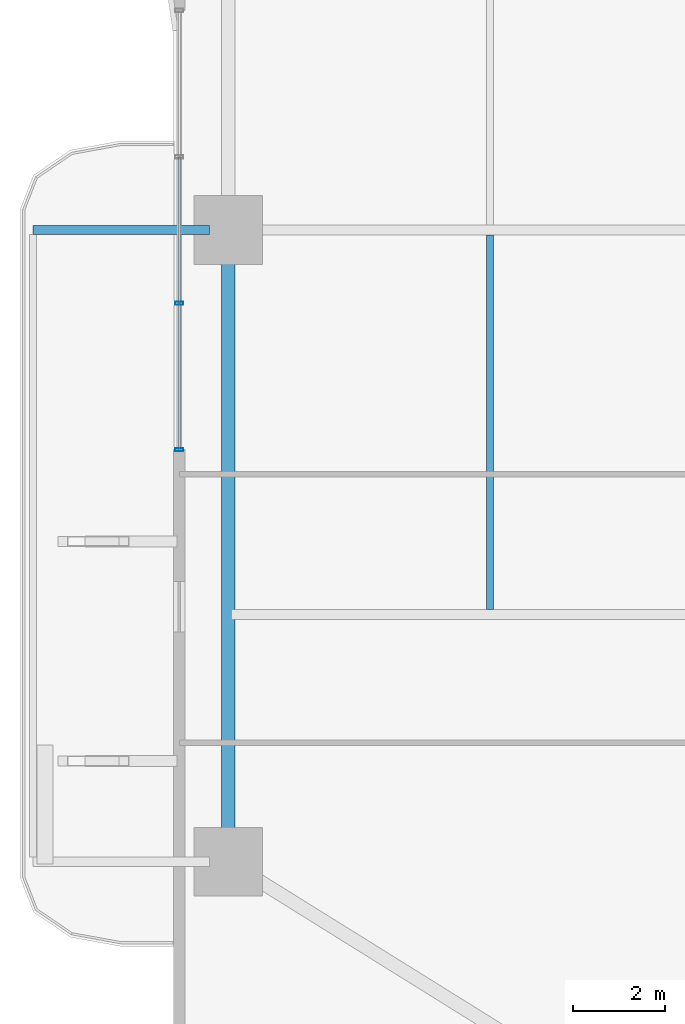
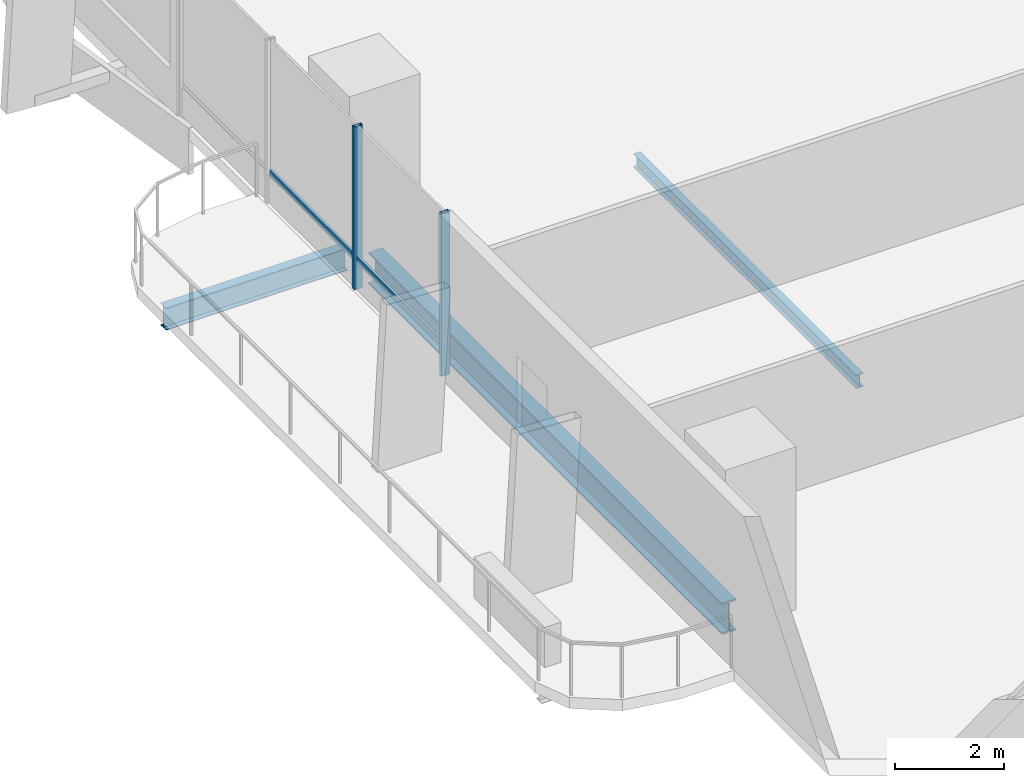
# One storey, part 4 of 24: 4 members, 3 beams, 1 element without a shape of its own.
"""IFC4 building model written with IfcOpenShell, lengths in metres."""

from ifc_helpers import new_model, si_unit, direction, frame, origin, origin_2d, place, context, subcontext, project, spatial, hollow_rectangle, i_section, extrude, material, layer, layer_set, material_profile, profile_set, type_object, element, aggregate, save


model = new_model("IFC4")

# Units and contexts
model_context = context("Model", 3, precision=1e-05, world=origin(), true_north=direction((0.0, 1.0)))
body_context = subcontext(model_context, "Body", "Model", "MODEL_VIEW")
ifc_project = project(units=[si_unit("LENGTHUNIT", "METRE"), si_unit("AREAUNIT", "SQUARE_METRE"), si_unit("VOLUMEUNIT", "CUBIC_METRE"), si_unit("PLANEANGLEUNIT", "RADIAN"), si_unit("MASSUNIT", "GRAM", prefix="KILO")], contexts=[model_context])

# Site, building, storey
site_placement = place(None, origin())
site = spatial("IfcSite", under=ifc_project, at=site_placement, CompositionType="ELEMENT")
building_placement = place(site_placement, origin())
building = spatial("IfcBuilding", under=site, at=building_placement, Name="Belovzor Exchange Tower", CompositionType="ELEMENT")
storey_placement = place(building_placement, frame((0.0, 0.0, 61.199951171875)))
storey = spatial("IfcBuildingStorey", under=building, at=storey_placement, Name="L14", CompositionType="ELEMENT", Elevation=61.199951171875)

# Beams
ifc_material_1 = material(Name="Steel S355", Category="steel")
ifc_material_profile_1 = material_profile(ifc_material_1, i_section(OverallWidth=0.199951171875, OverallDepth=0.5, WebThickness=0.01025390625, FlangeThickness=0.01611328125, at=origin_2d()))
ifc_profile_set_1 = profile_set([ifc_material_profile_1], Name="Steel S355")
beam_type_1 = type_object("IfcBeamType", Name="Planted Balcony Cantilever Beam IPE 500", PredefinedType="BEAM", material=ifc_profile_set_1)
beam_1_placement = place(storey_placement, frame((1.68798828125, 28.800048828125, -0.5), z_axis=(-1.0, 0.0, 0.0), x_axis=(0.0, -1.0, 0.0)))
element("IfcBeam", 1, at=beam_1_placement, inside=storey, type_object=beam_type_1, Name="BC-500 Planted Balcony Cantilever Beam IPE 500", PredefinedType="BEAM", context=body_context, shape_type="SweptSolid", body=[
    extrude(i_section(OverallWidth=0.199951171875, OverallDepth=0.5, WebThickness=0.01025390625, FlangeThickness=0.01611328125, at=origin_2d()), origin(), (0.0, 0.0, 1.0), 3.85009765625),
])
ifc_material_2 = material(Name="Steel S355", Category="steel")
ifc_material_profile_2 = material_profile(ifc_material_2, i_section(OverallWidth=0.14990234375, OverallDepth=0.300048828125, WebThickness=0.007080078125, FlangeThickness=0.0107421875, at=origin_2d()))
ifc_profile_set_2 = profile_set([ifc_material_profile_2], Name="Steel S355")
beam_type_2 = type_object("IfcBeamType", Name="Secondary Trim Floor Joist IPE 300", PredefinedType="BEAM", material=ifc_profile_set_2)
beam_2_placement = place(storey_placement, frame((7.81494140625, 20.5048828125, -0.39990234375), z_axis=(0.0, 1.0, 0.0), x_axis=(-1.0, 0.0, 0.0)))
element("IfcBeam", 2, at=beam_2_placement, inside=storey, type_object=beam_type_2, Name="FJ-300 Secondary Trim Floor Joist IPE 300", PredefinedType="BEAM", context=body_context, shape_type="SweptSolid", body=[
    extrude(i_section(OverallWidth=0.14990234375, OverallDepth=0.300048828125, WebThickness=0.007080078125, FlangeThickness=0.0107421875, at=origin_2d()), origin(), (0.0, 0.0, 1.0), 8.190185546875),
])

# Curtain wall, members
ifc_material_3 = material(Name="Anodised Aluminium Framing", Category="aluminium")
ifc_layer = layer(ifc_material_3, 0.179931640625)
ifc_layer_set = layer_set([ifc_layer], Name="Anodised Aluminium Framing")
curtain_wall_type = type_object("IfcCurtainWallType", Name="Recessed Loggia Low-Iron Triple-Glazed Curtain Wall", PredefinedType="NOTDEFINED", material=ifc_layer_set)
curtain_wall_placement = place(storey_placement, origin())
curtain_wall = element("IfcCurtainWall", 3, at=curtain_wall_placement, inside=storey, type_object=curtain_wall_type, Name="CW3 Recessed Loggia Low-Iron Triple-Glazed Curtain Wall L14", PredefinedType="NOTDEFINED")
ifc_material_4 = material(Name="Steel S355", Category="steel")
ifc_material_profile_3 = material_profile(ifc_material_4, hollow_rectangle(XDim=0.074951171875, YDim=0.179931640625, WallThickness=0.0048828125, at=origin_2d()))
ifc_profile_set_3 = profile_set([ifc_material_profile_3], Name="Steel S355")
member_type_1 = type_object("IfcMemberType", Name="Thermally Broken Curtain Wall Mullion 180x75", PredefinedType="MULLION", material=ifc_profile_set_3)
member_1_placement = place(storey_placement, frame((1.030029296875, 24.0, 0.0), z_axis=(0.0, 0.0, 1.0), x_axis=(0.0, 1.0, 0.0)))
member_1 = element("IfcMember", 4, at=member_1_placement, type_object=member_type_1, Name="CW-M180 Curtain Wall Mullion 1", PredefinedType="MULLION", context=body_context, shape_type="SweptSolid", body=[
    extrude(hollow_rectangle(XDim=0.074951171875, YDim=0.179931640625, WallThickness=0.0048828125, at=origin_2d()), origin(), (0.0, 0.0, 1.0), 3.650146484375),
])
member_2_placement = place(storey_placement, frame((1.030029296875, 27.199951171875, 0.0), z_axis=(0.0, 0.0, 1.0), x_axis=(0.0, 1.0, 0.0)))
member_2 = element("IfcMember", 5, at=member_2_placement, type_object=member_type_1, Name="CW-M180 Curtain Wall Mullion 2", PredefinedType="MULLION", context=body_context, shape_type="SweptSolid", body=[
    extrude(hollow_rectangle(XDim=0.074951171875, YDim=0.179931640625, WallThickness=0.0048828125, at=origin_2d()), origin(), (0.0, 0.0, 1.0), 3.650146484375),
])
ifc_material_5 = material(Name="Steel S355", Category="steel")
ifc_material_profile_4 = material_profile(ifc_material_5, hollow_rectangle(XDim=0.06005859375, YDim=0.14990234375, WallThickness=0.00390625, at=origin_2d()))
ifc_profile_set_4 = profile_set([ifc_material_profile_4], Name="Steel S355")
member_type_2 = type_object("IfcMemberType", Name="Thermally Broken Curtain Wall Transom 150x60", PredefinedType="USERDEFINED", material=ifc_profile_set_4)
member_3_placement = place(storey_placement, frame((1.030029296875, 24.008056640625, 0.650146484375), z_axis=(0.0, 1.0, 0.0), x_axis=(-1.0, 0.0, 0.0)))
member_3 = element("IfcMember", 6, at=member_3_placement, type_object=member_type_2, Name="CW-T150 Curtain Wall Transom 1", ObjectType="TRANSOM", PredefinedType="USERDEFINED", context=body_context, shape_type="SweptSolid", body=[
    extrude(hollow_rectangle(XDim=0.06005859375, YDim=0.14990234375, WallThickness=0.00390625, at=origin_2d()), origin(), (0.0, 0.0, 1.0), 3.183837890625),
])
member_4_placement = place(storey_placement, frame((1.030029296875, 27.2080078125, 0.650146484375), z_axis=(0.0, 1.0, 0.0), x_axis=(-1.0, 0.0, 0.0)))
member_4 = element("IfcMember", 7, at=member_4_placement, type_object=member_type_2, Name="CW-T150 Curtain Wall Transom 2", ObjectType="TRANSOM", PredefinedType="USERDEFINED", context=body_context, shape_type="SweptSolid", body=[
    extrude(hollow_rectangle(XDim=0.06005859375, YDim=0.14990234375, WallThickness=0.00390625, at=origin_2d()), origin(), (0.0, 0.0, 1.0), 3.18408203125),
])
aggregate(curtain_wall, [member_1, member_2, member_3, member_4])

# Beam
ifc_material_6 = material(Name="Steel S355", Category="steel")
ifc_material_profile_5 = material_profile(ifc_material_6, i_section(OverallWidth=0.300048828125, OverallDepth=0.699951171875, WebThickness=0.01708984375, FlangeThickness=0.031982421875, at=origin_2d()))
ifc_profile_set_5 = profile_set([ifc_material_profile_5], Name="Steel S355")
beam_type_3 = type_object("IfcBeamType", Name="Zone 1 Primary Perimeter Girder HEB 700", PredefinedType="BEAM", material=ifc_profile_set_5)
beam_3_placement = place(storey_placement, frame((2.10009765625, 28.386962890625, -0.599853515625), z_axis=(0.0, -1.0, 0.0), x_axis=(1.0, 0.0, 0.0)))
element("IfcBeam", 8, at=beam_3_placement, inside=storey, type_object=beam_type_3, Name="FG-Z1 Zone 1 Primary Perimeter Girder HEB 700", PredefinedType="BEAM", context=body_context, shape_type="SweptSolid", body=[
    extrude(i_section(OverallWidth=0.300048828125, OverallDepth=0.699951171875, WebThickness=0.01708984375, FlangeThickness=0.031982421875, at=origin_2d()), origin(), (0.0, 0.0, 1.0), 12.974853515625),
])

save(model, "model.ifc")
